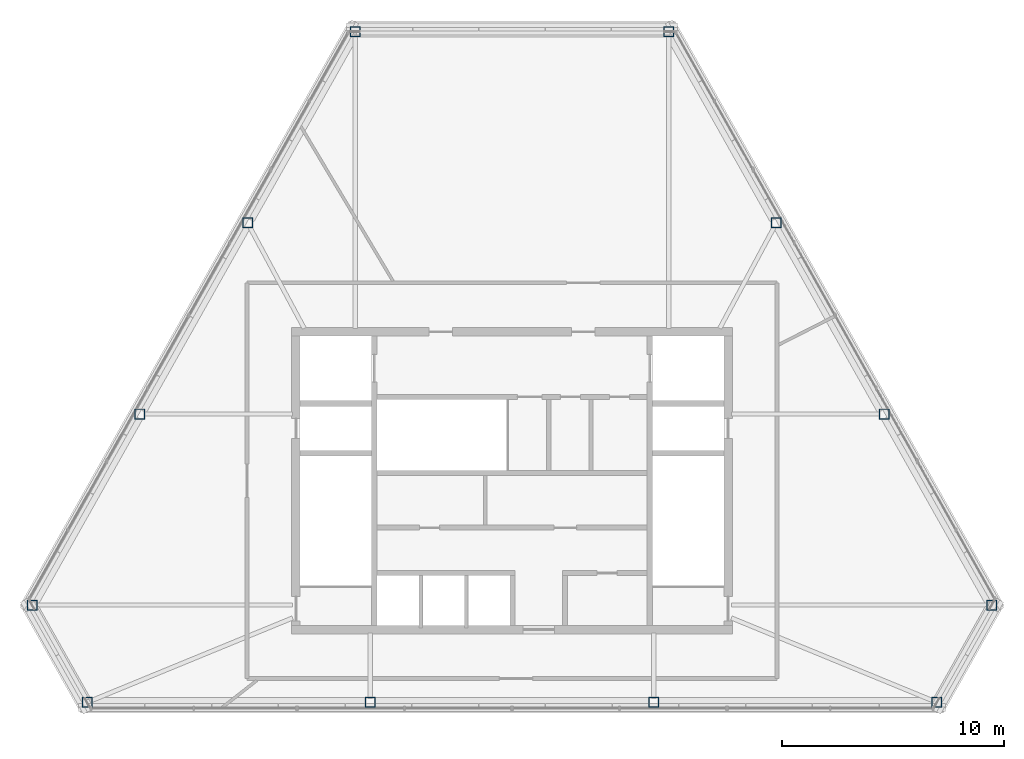
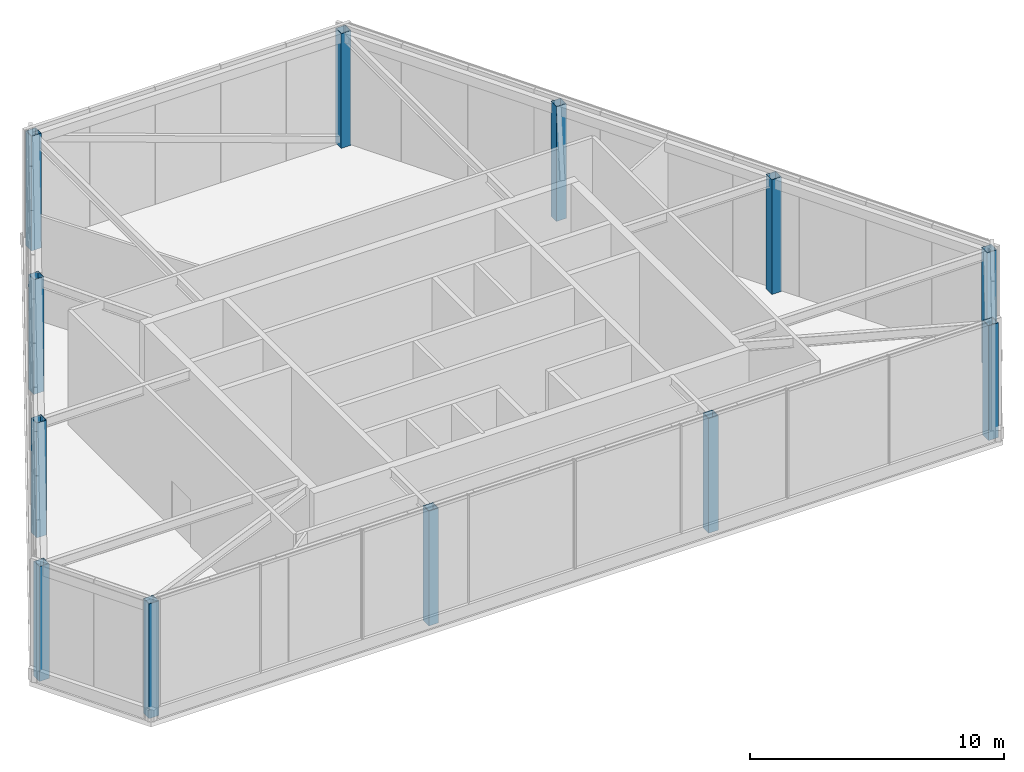
# One storey, part 1 of 11: 12 columns.
"""IFC4 building model written with IfcOpenShell, lengths in metres."""

from ifc_helpers import new_model, si_unit, direction, frame, origin, origin_2d, place, context, subcontext, project, spatial, hollow_rectangle, extrude, material, material_profile, profile_set, type_object, element, save


model = new_model("IFC4")

# Units and contexts
model_context = context("Model", 3, precision=1e-05, world=origin(), true_north=direction((0.0, 1.0)))
body_context = subcontext(model_context, "Body", "Model", "MODEL_VIEW")
ifc_project = project(units=[si_unit("LENGTHUNIT", "METRE"), si_unit("AREAUNIT", "SQUARE_METRE"), si_unit("VOLUMEUNIT", "CUBIC_METRE"), si_unit("PLANEANGLEUNIT", "RADIAN"), si_unit("MASSUNIT", "GRAM", prefix="KILO")], contexts=[model_context])

# Site, building, storey
site_placement = place(None, origin())
site = spatial("IfcSite", under=ifc_project, at=site_placement, CompositionType="ELEMENT")
building_placement = place(site_placement, origin())
building = spatial("IfcBuilding", under=site, at=building_placement, Name="Kavelnor Concourse Tower", CompositionType="ELEMENT")
storey_placement = place(building_placement, frame((0.0, 0.0, 309.949951171875)))
storey = spatial("IfcBuildingStorey", under=building, at=storey_placement, Name="L78", CompositionType="ELEMENT", Elevation=309.949951171875)

# Columns
ifc_material = material(Name="Steel Grade 350", Category="steel")
ifc_material_profile = material_profile(ifc_material, hollow_rectangle(XDim=0.449951171875, YDim=0.449951171875, WallThickness=0.02197265625, at=origin_2d()), Name="SHS 450x450x22")
ifc_profile_set = profile_set([ifc_material_profile], Name="Steel Grade 350")
column_type = type_object("IfcColumnType", Name="COL-CROWN-FRAME", PredefinedType="USERDEFINED", material=ifc_profile_set)
for number, where, z_axis, x_axis, name in (
    (1, (30.950927734375, 36.276123046875, 0.0), (0.0, 0.0, 1.0), (1.0, 0.0, 0.0), "L78 Crown Frame Post F0B0"),
    (2, (26.11328125, 27.6865234375, 0.0), (0.0, 0.0, 1.0), (1.0, 0.0, 0.0), "L78 Crown Frame Post F0B2"),
    (3, (21.275390625, 19.09716796875, 0.0), (0.0, 0.0, 1.0), (1.0, 0.0, 0.0), "L78 Crown Frame Post F0B4"),
    (4, (16.437744140625, 10.507568359375, 0.0), (0.0, 0.0, 1.0), (1.0, 0.0, 0.0), "L78 Crown Frame Post F0B6"),
    (5, (18.900390625, 6.135009765625, 0.0), (0.0, 0.0, 1.0), (1.0, 0.0, 0.0), "L78 Crown Frame Post F1B0"),
    (6, (31.633544921875, 6.135009765625, 0.0), (0.0, 0.0, 1.0), (1.0, 0.0, 0.0), "L78 Crown Frame Post F1B2"),
    (7, (44.366455078125, 6.135009765625, 0.0), (0.0, 0.0, 1.0), (1.0, 0.0, 0.0), "L78 Crown Frame Post F1B4"),
    (8, (57.099609375, 6.135009765625, 0.0), (0.0, 0.0, 1.0), (1.0, 0.0, 0.0), "L78 Crown Frame Post F1B6"),
    (9, (59.562255859375, 10.507568359375, 0.0), (0.0, 0.0, 1.0), (1.0, 0.0, 0.0), "L78 Crown Frame Post F2B0"),
    (10, (54.724609375, 19.09716796875, 0.0), (0.0, 0.0, 1.0), (1.0, 0.0, 0.0), "L78 Crown Frame Post F2B2"),
    (11, (49.88671875, 27.6865234375, 0.0), (0.0, 0.0, 1.0), (1.0, 0.0, 0.0), "L78 Crown Frame Post F2B4"),
    (12, (45.049072265625, 36.276123046875, 0.0), (0.0, 0.0, 1.0), (1.0, 0.0, 0.0), "L78 Crown Frame Post F2B6"),
):
    element("IfcColumn", number, at=place(storey_placement, frame(where, z_axis=z_axis, x_axis=x_axis)), inside=storey, type_object=column_type, Name=name, ObjectType="CROWN FRAME", PredefinedType="USERDEFINED", context=body_context, shape_type="SweptSolid", body=[
        extrude(hollow_rectangle(XDim=0.449951171875, YDim=0.449951171875, WallThickness=0.02197265625, at=origin_2d()), origin(), (0.0, 0.0, 1.0), 5.52001953125),
    ])

save(model, "model.ifc")
